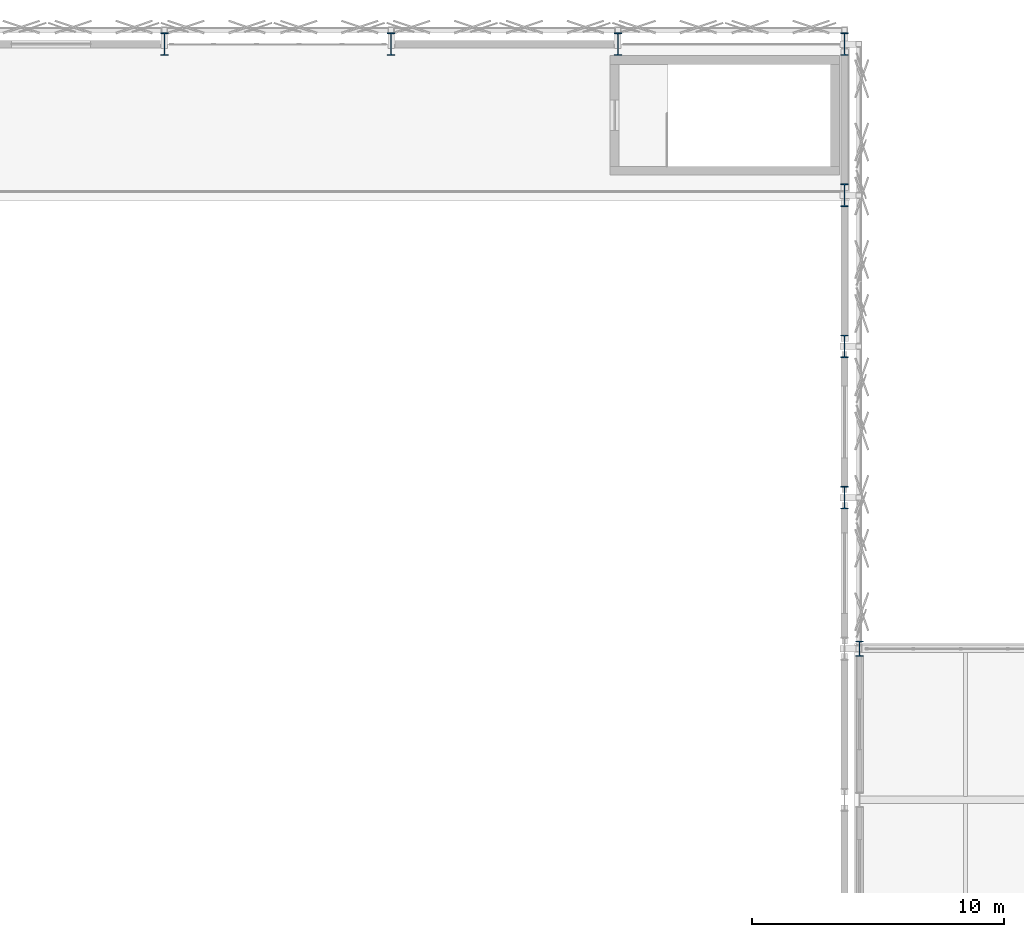
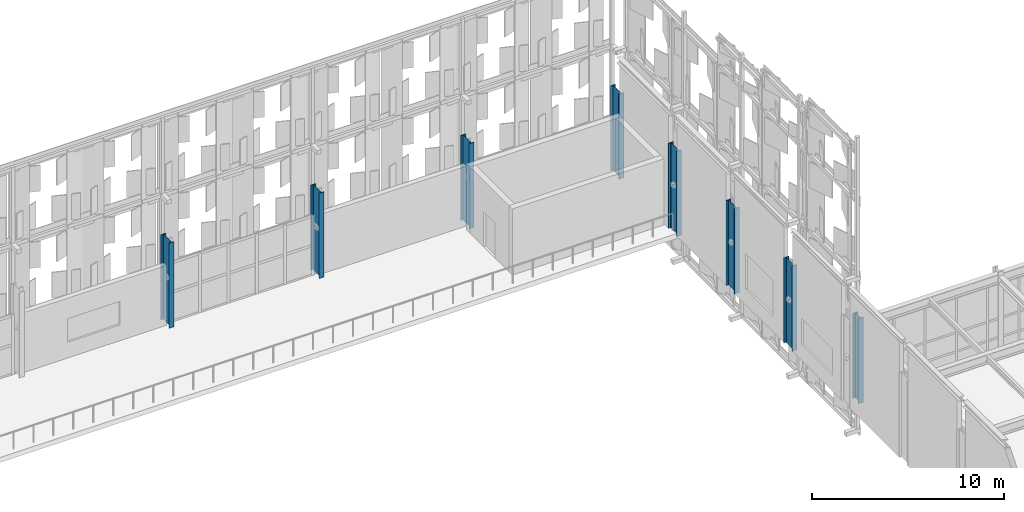
# One storey, part 12 of 210: 8 columns.
"""IFC4 building model written with IfcOpenShell, lengths in metres."""

from ifc_helpers import new_model, si_unit, direction, frame, origin, origin_2d, place, context, subcontext, project, spatial, i_section, extrude, material, material_profile, profile_set, type_object, element, save


model = new_model("IFC4")

# Units and contexts
model_context = context("Model", 3, precision=1e-05, world=origin(), true_north=direction((0.0, 1.0)))
body_context = subcontext(model_context, "Body", "Model", "MODEL_VIEW")
ifc_project = project(units=[si_unit("LENGTHUNIT", "METRE"), si_unit("AREAUNIT", "SQUARE_METRE"), si_unit("VOLUMEUNIT", "CUBIC_METRE"), si_unit("PLANEANGLEUNIT", "RADIAN"), si_unit("MASSUNIT", "GRAM", prefix="KILO")], contexts=[model_context])

# Site, building, storey
site_placement = place(None, origin())
site = spatial("IfcSite", under=ifc_project, at=site_placement, CompositionType="ELEMENT")
building_placement = place(site_placement, origin())
building = spatial("IfcBuilding", under=site, at=building_placement, Name="Kaldris Quays Convention Centre", CompositionType="ELEMENT")
storey_placement = place(building_placement, frame((0.0, 0.0, 6.0)))
storey = spatial("IfcBuildingStorey", under=building, at=storey_placement, Name="L01", CompositionType="ELEMENT", Elevation=6.0)

# Columns
ifc_material = material(Name="Steel S355J2", Category="steel")
ifc_material_profile_1 = material_profile(ifc_material, i_section(OverallWidth=0.300048828125, OverallDepth=0.89990234375, WebThickness=0.0185546875, FlangeThickness=0.034912109375, FilletRadius=0.030029296875, at=origin_2d()), Name="HEB 900")
ifc_profile_set_1 = profile_set([ifc_material_profile_1], Name="Steel S355J2")
column_type_1 = type_object("IfcColumnType", Name="STRUCTURAL COLUMN CL03", PredefinedType="COLUMN", material=ifc_profile_set_1)
for number, where, z_axis, x_axis, name in (
    (1, (119.0, 140.0, 0.0), (0.0, 0.0, 1.0), (1.0, 0.0, 0.0), "L01 V1 Column CL03 (119.00, 140.00)"),
    (2, (128.0, 140.0, 0.0), (0.0, 0.0, 1.0), (1.0, 0.0, 0.0), "L01 V1 Column CL03 (128.00, 140.00)"),
    (3, (137.0, 140.0, 0.0), (0.0, 0.0, 1.0), (1.0, 0.0, 0.0), "L01 V1 Column CL03 (137.00, 140.00)"),
    (4, (146.0, 122.0, 0.0), (0.0, 0.0, 1.0), (1.0, 0.0, 0.0), "L01 V1 Column CL03 (146.00, 122.00)"),
    (5, (146.0, 128.0, 0.0), (0.0, 0.0, 1.0), (1.0, 0.0, 0.0), "L01 V1 Column CL03 (146.00, 128.00)"),
    (6, (146.0, 134.0, 0.0), (0.0, 0.0, 1.0), (1.0, 0.0, 0.0), "L01 V1 Column CL03 (146.00, 134.00)"),
    (7, (146.0, 140.0, 0.0), (0.0, 0.0, 1.0), (1.0, 0.0, 0.0), "L01 V1 Column CL03 (146.00, 140.00)"),
):
    element("IfcColumn", number, at=place(storey_placement, frame(where, z_axis=z_axis, x_axis=x_axis)), inside=storey, type_object=column_type_1, Name=name, PredefinedType="COLUMN", context=body_context, shape_type="SweptSolid", body=[
        extrude(i_section(OverallWidth=0.300048828125, OverallDepth=0.89990234375, WebThickness=0.0185546875, FlangeThickness=0.034912109375, FilletRadius=0.030029296875, at=origin_2d()), origin(), (0.0, 0.0, 1.0), 5.39990234375),
    ])
ifc_material_profile_2 = material_profile(ifc_material, i_section(OverallWidth=0.300048828125, OverallDepth=0.60009765625, WebThickness=0.015380859375, FlangeThickness=0.030029296875, FilletRadius=0.027099609375, at=origin_2d()), Name="HEB 600")
ifc_profile_set_2 = profile_set([ifc_material_profile_2], Name="Steel S355J2")
column_type_2 = type_object("IfcColumnType", Name="STRUCTURAL COLUMN CL06", PredefinedType="COLUMN", material=ifc_profile_set_2)
column_placement = place(storey_placement, frame((146.60009765625, 116.0, 0.0), z_axis=(0.0, 0.0, 1.0), x_axis=(1.0, 0.0, 0.0)))
element("IfcColumn", 8, at=column_placement, inside=storey, type_object=column_type_2, Name="L01 V4 Column CL06 (146.60, 116.00)", PredefinedType="COLUMN", context=body_context, shape_type="SweptSolid", body=[
    extrude(i_section(OverallWidth=0.300048828125, OverallDepth=0.60009765625, WebThickness=0.015380859375, FlangeThickness=0.030029296875, FilletRadius=0.027099609375, at=origin_2d()), origin(), (0.0, 0.0, 1.0), 5.39990234375),
])

save(model, "model.ifc")
